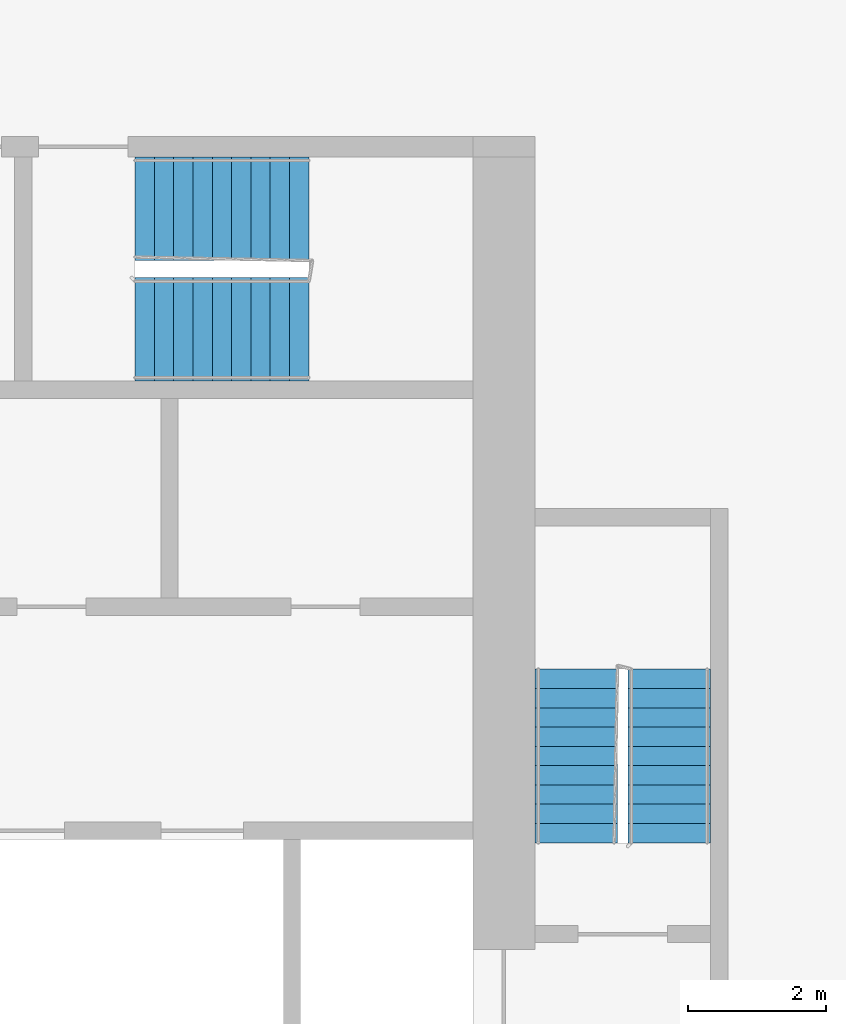
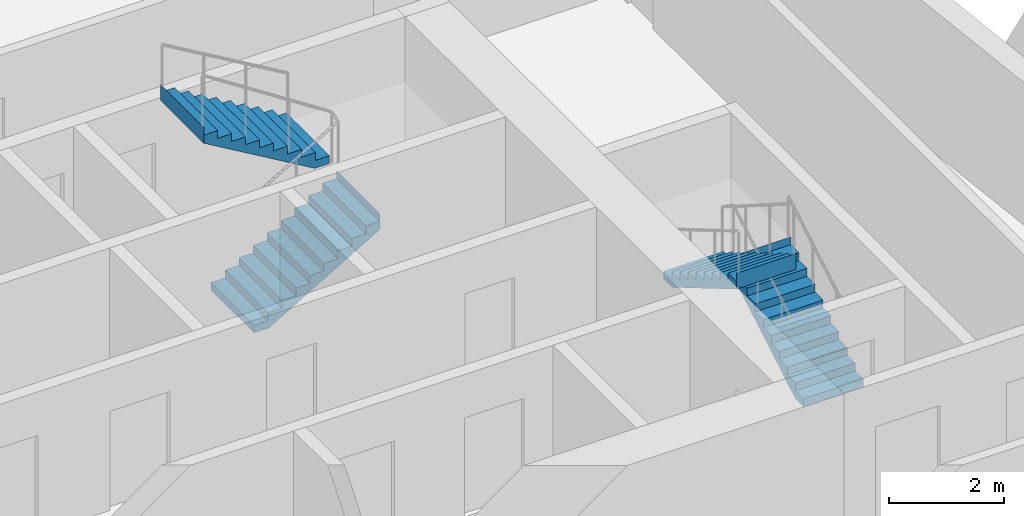
# One storey, part 11 of 13: 4 stair flights, 2 elements without a shape of their own.
"""IFC4 building model written with IfcOpenShell, lengths in metres."""

from ifc_helpers import new_model, si_unit, direction, frame, origin, place, context, subcontext, project, spatial, faceted_brep, material, type_object, element, aggregate, save


model = new_model("IFC4")

# Units and contexts
model_context = context("Model", 3, precision=1e-05, world=origin(), true_north=direction((0.0, 1.0)))
body_context = subcontext(model_context, "Body", "Model", "MODEL_VIEW")
ifc_project = project(units=[si_unit("LENGTHUNIT", "METRE"), si_unit("AREAUNIT", "SQUARE_METRE"), si_unit("VOLUMEUNIT", "CUBIC_METRE"), si_unit("PLANEANGLEUNIT", "RADIAN"), si_unit("MASSUNIT", "GRAM", prefix="KILO")], contexts=[model_context])

# Site, building, storey
site_placement = place(None, origin())
site = spatial("IfcSite", under=ifc_project, at=site_placement, CompositionType="ELEMENT")
building_placement = place(site_placement, origin())
building = spatial("IfcBuilding", under=site, at=building_placement, Name="Kajstack Hotel Tower", CompositionType="ELEMENT")
storey_placement = place(building_placement, frame((0.0, 0.0, 196.60009765625)))
storey = spatial("IfcBuildingStorey", under=building, at=storey_placement, Name="L47", CompositionType="ELEMENT", Elevation=196.60009765625)

# Stair, stair flights
ifc_material = material(Name="Concrete C40/50", Category="concrete")
stair_type_1 = type_object("IfcStairType", Name="Exit stair 1200", PredefinedType="HALF_TURN_STAIR", material=ifc_material)
stair_1_placement = place(storey_placement, origin())
stair_1 = element("IfcStair", 1, at=stair_1_placement, inside=storey, type_object=stair_type_1, Name="L47 stair E1", PredefinedType="HALF_TURN_STAIR")
stair_flight_type_1 = type_object("IfcStairFlightType", Name="Exit stair flight 1200", PredefinedType="STRAIGHT", material=ifc_material)
stair_flight_1_placement = place(storey_placement, frame((33.449951171875, 5.25, 0.0), z_axis=(0.0, 0.0, 1.0), x_axis=(0.0, 1.0, 0.0)))
stair_flight_1 = element("IfcStairFlight", 2, at=stair_flight_1_placement, type_object=stair_flight_type_1, Name="E1 flight 1", NumberOfRisers=10, NumberOfTreads=9, PredefinedType="STRAIGHT", RiserHeight=0.165, TreadLength=0.28, context=body_context, shape_type="Brep", body=[
    faceted_brep([(0.295654296875, -0.60009765625, 0.0), (2.5205078125, -0.60009765625, 1.31103515625), (2.5205078125, -0.60009765625, 1.64990234375), (2.52001953125, -0.60009765625, 1.64990234375), (2.52001953125, -0.60009765625, 1.485107421875), (2.239990234375, -0.60009765625, 1.485107421875), (2.239990234375, -0.60009765625, 1.320068359375), (1.9599609375, -0.60009765625, 1.320068359375), (1.9599609375, -0.60009765625, 1.155029296875), (1.679931640625, -0.60009765625, 1.155029296875), (1.679931640625, -0.60009765625, 0.989990234375), (1.39990234375, -0.60009765625, 0.989990234375), (1.39990234375, -0.60009765625, 0.824951171875), (1.1201171875, -0.60009765625, 0.824951171875), (1.1201171875, -0.60009765625, 0.659912109375), (0.840087890625, -0.60009765625, 0.659912109375), (0.840087890625, -0.60009765625, 0.4951171875), (0.56005859375, -0.60009765625, 0.4951171875), (0.56005859375, -0.60009765625, 0.330078125), (0.280029296875, -0.60009765625, 0.330078125), (0.280029296875, -0.60009765625, 0.1650390625), (-0.00048828125, -0.60009765625, 0.1650390625), (-0.00048828125, -0.60009765625, 0.0), (-0.00048828125, 0.60009765625, 0.0), (-0.00048828125, 0.60009765625, 0.1650390625), (0.280029296875, 0.60009765625, 0.1650390625), (0.280029296875, 0.60009765625, 0.330078125), (0.56005859375, 0.60009765625, 0.330078125), (0.56005859375, 0.60009765625, 0.4951171875), (0.840087890625, 0.60009765625, 0.4951171875), (0.840087890625, 0.60009765625, 0.659912109375), (1.1201171875, 0.60009765625, 0.659912109375), (1.1201171875, 0.60009765625, 0.824951171875), (1.39990234375, 0.60009765625, 0.824951171875), (1.39990234375, 0.60009765625, 0.989990234375), (1.679931640625, 0.60009765625, 0.989990234375), (1.679931640625, 0.60009765625, 1.155029296875), (1.9599609375, 0.60009765625, 1.155029296875), (1.9599609375, 0.60009765625, 1.320068359375), (2.239990234375, 0.60009765625, 1.320068359375), (2.239990234375, 0.60009765625, 1.485107421875), (2.52001953125, 0.60009765625, 1.485107421875), (2.52001953125, 0.60009765625, 1.64990234375), (2.5205078125, 0.60009765625, 1.64990234375), (2.5205078125, 0.60009765625, 1.31103515625), (0.295654296875, 0.60009765625, 0.0), (-0.00048828125, -0.300048828125, 0.1650390625), (-0.00048828125, 0.0, 0.1650390625), (-0.00048828125, 0.300048828125, 0.1650390625), (-0.00048828125, 0.300048828125, 0.0), (-0.00048828125, 0.0, 0.0), (-0.00048828125, -0.300048828125, 0.0), (0.280029296875, -0.300048828125, 0.1650390625), (0.280029296875, 0.0, 0.1650390625), (0.280029296875, 0.300048828125, 0.1650390625), (0.280029296875, -0.300048828125, 0.330078125), (0.280029296875, 0.0, 0.330078125), (0.280029296875, 0.300048828125, 0.330078125), (0.56005859375, -0.300048828125, 0.330078125), (0.56005859375, 0.0, 0.330078125), (0.56005859375, 0.300048828125, 0.330078125), (0.56005859375, -0.300048828125, 0.4951171875), (0.56005859375, 0.0, 0.4951171875), (0.56005859375, 0.300048828125, 0.4951171875), (0.840087890625, -0.300048828125, 0.4951171875), (0.840087890625, 0.0, 0.4951171875), (0.840087890625, 0.300048828125, 0.4951171875), (0.840087890625, -0.300048828125, 0.659912109375), (0.840087890625, 0.0, 0.659912109375), (0.840087890625, 0.300048828125, 0.659912109375), (1.1201171875, -0.300048828125, 0.659912109375), (1.1201171875, 0.0, 0.659912109375), (1.1201171875, 0.300048828125, 0.659912109375), (1.1201171875, -0.300048828125, 0.824951171875), (1.1201171875, 0.0, 0.824951171875), (1.1201171875, 0.300048828125, 0.824951171875), (1.39990234375, -0.300048828125, 0.824951171875), (1.39990234375, 0.0, 0.824951171875), (1.39990234375, 0.300048828125, 0.824951171875), (1.39990234375, -0.300048828125, 0.989990234375), (1.39990234375, 0.0, 0.989990234375), (1.39990234375, 0.300048828125, 0.989990234375), (1.679931640625, -0.300048828125, 0.989990234375), (1.679931640625, 0.0, 0.989990234375), (1.679931640625, 0.300048828125, 0.989990234375), (1.679931640625, -0.300048828125, 1.155029296875), (1.679931640625, 0.0, 1.155029296875), (1.679931640625, 0.300048828125, 1.155029296875), (1.9599609375, -0.300048828125, 1.155029296875), (1.9599609375, 0.0, 1.155029296875), (1.9599609375, 0.300048828125, 1.155029296875), (1.9599609375, -0.300048828125, 1.320068359375), (1.9599609375, 0.0, 1.320068359375), (1.9599609375, 0.300048828125, 1.320068359375), (2.239990234375, -0.300048828125, 1.320068359375), (2.239990234375, 0.0, 1.320068359375), (2.239990234375, 0.300048828125, 1.320068359375), (2.239990234375, -0.300048828125, 1.485107421875), (2.239990234375, 0.0, 1.485107421875), (2.239990234375, 0.300048828125, 1.485107421875), (2.52001953125, -0.300048828125, 1.485107421875), (2.52001953125, 0.0, 1.485107421875), (2.52001953125, 0.300048828125, 1.485107421875), (2.52001953125, -0.300048828125, 1.64990234375), (2.52001953125, 0.0, 1.64990234375), (2.52001953125, 0.300048828125, 1.64990234375), (2.5205078125, -0.300048828125, 1.64990234375), (2.5205078125, 0.0, 1.64990234375), (2.5205078125, 0.300048828125, 1.64990234375), (2.5205078125, -0.300048828125, 1.31103515625), (2.5205078125, 0.0, 1.31103515625), (2.5205078125, 0.300048828125, 1.31103515625), (0.295654296875, -0.300048828125, 0.0), (0.295654296875, 0.0, 0.0), (0.295654296875, 0.300048828125, 0.0)], [[[0, 1, 2, 3, 4, 5, 6, 7, 8, 9, 10, 11, 12, 13, 14, 15, 16, 17, 18, 19, 20, 21, 22]], [[23, 24, 25, 26, 27, 28, 29, 30, 31, 32, 33, 34, 35, 36, 37, 38, 39, 40, 41, 42, 43, 44, 45]], [[21, 46, 47, 48, 24, 23, 49, 50, 51, 22]], [[20, 52, 53, 54, 25, 24, 48, 47, 46, 21]], [[19, 55, 56, 57, 26, 25, 54, 53, 52, 20]], [[18, 58, 59, 60, 27, 26, 57, 56, 55, 19]], [[17, 61, 62, 63, 28, 27, 60, 59, 58, 18]], [[16, 64, 65, 66, 29, 28, 63, 62, 61, 17]], [[15, 67, 68, 69, 30, 29, 66, 65, 64, 16]], [[14, 70, 71, 72, 31, 30, 69, 68, 67, 15]], [[13, 73, 74, 75, 32, 31, 72, 71, 70, 14]], [[12, 76, 77, 78, 33, 32, 75, 74, 73, 13]], [[11, 79, 80, 81, 34, 33, 78, 77, 76, 12]], [[10, 82, 83, 84, 35, 34, 81, 80, 79, 11]], [[9, 85, 86, 87, 36, 35, 84, 83, 82, 10]], [[8, 88, 89, 90, 37, 36, 87, 86, 85, 9]], [[7, 91, 92, 93, 38, 37, 90, 89, 88, 8]], [[6, 94, 95, 96, 39, 38, 93, 92, 91, 7]], [[5, 97, 98, 99, 40, 39, 96, 95, 94, 6]], [[4, 100, 101, 102, 41, 40, 99, 98, 97, 5]], [[3, 103, 104, 105, 42, 41, 102, 101, 100, 4]], [[2, 106, 107, 108, 43, 42, 105, 104, 103, 3]], [[1, 109, 110, 111, 44, 43, 108, 107, 106, 2]], [[0, 112, 113, 114, 45, 44, 111, 110, 109, 1]], [[22, 51, 50, 49, 23, 45, 114, 113, 112, 0]]]),
])
stair_flight_2_placement = place(storey_placement, frame((32.10009765625, 7.77001953125, 1.64990234375), z_axis=(0.0, 0.0, 1.0), x_axis=(0.0, -1.0, 0.0)))
stair_flight_2 = element("IfcStairFlight", 3, at=stair_flight_2_placement, type_object=stair_flight_type_1, Name="E1 flight 2", NumberOfRisers=10, NumberOfTreads=9, PredefinedType="STRAIGHT", RiserHeight=0.165, TreadLength=0.28, context=body_context, shape_type="Brep", body=[
    faceted_brep([(0.295654296875, -0.60009765625, 0.0), (2.5205078125, -0.60009765625, 1.31103515625), (2.5205078125, -0.60009765625, 1.64990234375), (2.52001953125, -0.60009765625, 1.64990234375), (2.52001953125, -0.60009765625, 1.485107421875), (2.239990234375, -0.60009765625, 1.485107421875), (2.239990234375, -0.60009765625, 1.320068359375), (1.9599609375, -0.60009765625, 1.320068359375), (1.9599609375, -0.60009765625, 1.155029296875), (1.679931640625, -0.60009765625, 1.155029296875), (1.679931640625, -0.60009765625, 0.989990234375), (1.39990234375, -0.60009765625, 0.989990234375), (1.39990234375, -0.60009765625, 0.824951171875), (1.1201171875, -0.60009765625, 0.824951171875), (1.1201171875, -0.60009765625, 0.659912109375), (0.840087890625, -0.60009765625, 0.659912109375), (0.840087890625, -0.60009765625, 0.4951171875), (0.56005859375, -0.60009765625, 0.4951171875), (0.56005859375, -0.60009765625, 0.330078125), (0.280029296875, -0.60009765625, 0.330078125), (0.280029296875, -0.60009765625, 0.1650390625), (-0.00048828125, -0.60009765625, 0.1650390625), (-0.00048828125, -0.60009765625, 0.0), (-0.00048828125, 0.60009765625, 0.0), (-0.00048828125, 0.60009765625, 0.1650390625), (0.280029296875, 0.60009765625, 0.1650390625), (0.280029296875, 0.60009765625, 0.330078125), (0.56005859375, 0.60009765625, 0.330078125), (0.56005859375, 0.60009765625, 0.4951171875), (0.840087890625, 0.60009765625, 0.4951171875), (0.840087890625, 0.60009765625, 0.659912109375), (1.1201171875, 0.60009765625, 0.659912109375), (1.1201171875, 0.60009765625, 0.824951171875), (1.39990234375, 0.60009765625, 0.824951171875), (1.39990234375, 0.60009765625, 0.989990234375), (1.679931640625, 0.60009765625, 0.989990234375), (1.679931640625, 0.60009765625, 1.155029296875), (1.9599609375, 0.60009765625, 1.155029296875), (1.9599609375, 0.60009765625, 1.320068359375), (2.239990234375, 0.60009765625, 1.320068359375), (2.239990234375, 0.60009765625, 1.485107421875), (2.52001953125, 0.60009765625, 1.485107421875), (2.52001953125, 0.60009765625, 1.64990234375), (2.5205078125, 0.60009765625, 1.64990234375), (2.5205078125, 0.60009765625, 1.31103515625), (0.295654296875, 0.60009765625, 0.0), (-0.00048828125, -0.300048828125, 0.1650390625), (-0.00048828125, 0.0, 0.1650390625), (-0.00048828125, 0.300048828125, 0.1650390625), (-0.00048828125, 0.300048828125, 0.0), (-0.00048828125, 0.0, 0.0), (-0.00048828125, -0.300048828125, 0.0), (0.280029296875, -0.300048828125, 0.1650390625), (0.280029296875, 0.0, 0.1650390625), (0.280029296875, 0.300048828125, 0.1650390625), (0.280029296875, -0.300048828125, 0.330078125), (0.280029296875, 0.0, 0.330078125), (0.280029296875, 0.300048828125, 0.330078125), (0.56005859375, -0.300048828125, 0.330078125), (0.56005859375, 0.0, 0.330078125), (0.56005859375, 0.300048828125, 0.330078125), (0.56005859375, -0.300048828125, 0.4951171875), (0.56005859375, 0.0, 0.4951171875), (0.56005859375, 0.300048828125, 0.4951171875), (0.840087890625, -0.300048828125, 0.4951171875), (0.840087890625, 0.0, 0.4951171875), (0.840087890625, 0.300048828125, 0.4951171875), (0.840087890625, -0.300048828125, 0.659912109375), (0.840087890625, 0.0, 0.659912109375), (0.840087890625, 0.300048828125, 0.659912109375), (1.1201171875, -0.300048828125, 0.659912109375), (1.1201171875, 0.0, 0.659912109375), (1.1201171875, 0.300048828125, 0.659912109375), (1.1201171875, -0.300048828125, 0.824951171875), (1.1201171875, 0.0, 0.824951171875), (1.1201171875, 0.300048828125, 0.824951171875), (1.39990234375, -0.300048828125, 0.824951171875), (1.39990234375, 0.0, 0.824951171875), (1.39990234375, 0.300048828125, 0.824951171875), (1.39990234375, -0.300048828125, 0.989990234375), (1.39990234375, 0.0, 0.989990234375), (1.39990234375, 0.300048828125, 0.989990234375), (1.679931640625, -0.300048828125, 0.989990234375), (1.679931640625, 0.0, 0.989990234375), (1.679931640625, 0.300048828125, 0.989990234375), (1.679931640625, -0.300048828125, 1.155029296875), (1.679931640625, 0.0, 1.155029296875), (1.679931640625, 0.300048828125, 1.155029296875), (1.9599609375, -0.300048828125, 1.155029296875), (1.9599609375, 0.0, 1.155029296875), (1.9599609375, 0.300048828125, 1.155029296875), (1.9599609375, -0.300048828125, 1.320068359375), (1.9599609375, 0.0, 1.320068359375), (1.9599609375, 0.300048828125, 1.320068359375), (2.239990234375, -0.300048828125, 1.320068359375), (2.239990234375, 0.0, 1.320068359375), (2.239990234375, 0.300048828125, 1.320068359375), (2.239990234375, -0.300048828125, 1.485107421875), (2.239990234375, 0.0, 1.485107421875), (2.239990234375, 0.300048828125, 1.485107421875), (2.52001953125, -0.300048828125, 1.485107421875), (2.52001953125, 0.0, 1.485107421875), (2.52001953125, 0.300048828125, 1.485107421875), (2.52001953125, -0.300048828125, 1.64990234375), (2.52001953125, 0.0, 1.64990234375), (2.52001953125, 0.300048828125, 1.64990234375), (2.5205078125, -0.300048828125, 1.64990234375), (2.5205078125, 0.0, 1.64990234375), (2.5205078125, 0.300048828125, 1.64990234375), (2.5205078125, -0.300048828125, 1.31103515625), (2.5205078125, 0.0, 1.31103515625), (2.5205078125, 0.300048828125, 1.31103515625), (0.295654296875, -0.300048828125, 0.0), (0.295654296875, 0.0, 0.0), (0.295654296875, 0.300048828125, 0.0)], [[[0, 1, 2, 3, 4, 5, 6, 7, 8, 9, 10, 11, 12, 13, 14, 15, 16, 17, 18, 19, 20, 21, 22]], [[23, 24, 25, 26, 27, 28, 29, 30, 31, 32, 33, 34, 35, 36, 37, 38, 39, 40, 41, 42, 43, 44, 45]], [[21, 46, 47, 48, 24, 23, 49, 50, 51, 22]], [[20, 52, 53, 54, 25, 24, 48, 47, 46, 21]], [[19, 55, 56, 57, 26, 25, 54, 53, 52, 20]], [[18, 58, 59, 60, 27, 26, 57, 56, 55, 19]], [[17, 61, 62, 63, 28, 27, 60, 59, 58, 18]], [[16, 64, 65, 66, 29, 28, 63, 62, 61, 17]], [[15, 67, 68, 69, 30, 29, 66, 65, 64, 16]], [[14, 70, 71, 72, 31, 30, 69, 68, 67, 15]], [[13, 73, 74, 75, 32, 31, 72, 71, 70, 14]], [[12, 76, 77, 78, 33, 32, 75, 74, 73, 13]], [[11, 79, 80, 81, 34, 33, 78, 77, 76, 12]], [[10, 82, 83, 84, 35, 34, 81, 80, 79, 11]], [[9, 85, 86, 87, 36, 35, 84, 83, 82, 10]], [[8, 88, 89, 90, 37, 36, 87, 86, 85, 9]], [[7, 91, 92, 93, 38, 37, 90, 89, 88, 8]], [[6, 94, 95, 96, 39, 38, 93, 92, 91, 7]], [[5, 97, 98, 99, 40, 39, 96, 95, 94, 6]], [[4, 100, 101, 102, 41, 40, 99, 98, 97, 5]], [[3, 103, 104, 105, 42, 41, 102, 101, 100, 4]], [[2, 106, 107, 108, 43, 42, 105, 104, 103, 3]], [[1, 109, 110, 111, 44, 43, 108, 107, 106, 2]], [[0, 112, 113, 114, 45, 44, 111, 110, 109, 1]], [[22, 51, 50, 49, 23, 45, 114, 113, 112, 0]]]),
])
aggregate(stair_1, [stair_flight_1, stair_flight_2])

stair_type_2 = type_object("IfcStairType", Name="Exit stair 1500", PredefinedType="HALF_TURN_STAIR", material=ifc_material)
stair_2_placement = place(storey_placement, origin())
stair_2 = element("IfcStair", 4, at=stair_2_placement, inside=storey, type_object=stair_type_2, Name="L47 stair E3", PredefinedType="HALF_TURN_STAIR")
stair_flight_type_2 = type_object("IfcStairFlightType", Name="Exit stair flight 1500", PredefinedType="STRAIGHT", material=ifc_material)
stair_flight_3_placement = place(storey_placement, frame((25.699951171875, 12.699951171875, 0.0), z_axis=(0.0, 0.0, 1.0), x_axis=(1.0, 0.0, 0.0)))
stair_flight_3 = element("IfcStairFlight", 5, at=stair_flight_3_placement, type_object=stair_flight_type_2, Name="E3 flight 1", NumberOfRisers=10, NumberOfTreads=9, PredefinedType="STRAIGHT", RiserHeight=0.165, TreadLength=0.28, context=body_context, shape_type="Brep", body=[
    faceted_brep([(0.295654296875, -0.75, 0.0), (2.5205078125, -0.75, 1.31103515625), (2.5205078125, -0.75, 1.64990234375), (2.52001953125, -0.75, 1.64990234375), (2.52001953125, -0.75, 1.485107421875), (2.239990234375, -0.75, 1.485107421875), (2.239990234375, -0.75, 1.320068359375), (1.9599609375, -0.75, 1.320068359375), (1.9599609375, -0.75, 1.155029296875), (1.679931640625, -0.75, 1.155029296875), (1.679931640625, -0.75, 0.989990234375), (1.39990234375, -0.75, 0.989990234375), (1.39990234375, -0.75, 0.824951171875), (1.1201171875, -0.75, 0.824951171875), (1.1201171875, -0.75, 0.659912109375), (0.840087890625, -0.75, 0.659912109375), (0.840087890625, -0.75, 0.4951171875), (0.56005859375, -0.75, 0.4951171875), (0.56005859375, -0.75, 0.330078125), (0.280029296875, -0.75, 0.330078125), (0.280029296875, -0.75, 0.1650390625), (-0.00048828125, -0.75, 0.1650390625), (-0.00048828125, -0.75, 0.0), (-0.00048828125, 0.75, 0.0), (-0.00048828125, 0.75, 0.1650390625), (0.280029296875, 0.75, 0.1650390625), (0.280029296875, 0.75, 0.330078125), (0.56005859375, 0.75, 0.330078125), (0.56005859375, 0.75, 0.4951171875), (0.840087890625, 0.75, 0.4951171875), (0.840087890625, 0.75, 0.659912109375), (1.1201171875, 0.75, 0.659912109375), (1.1201171875, 0.75, 0.824951171875), (1.39990234375, 0.75, 0.824951171875), (1.39990234375, 0.75, 0.989990234375), (1.679931640625, 0.75, 0.989990234375), (1.679931640625, 0.75, 1.155029296875), (1.9599609375, 0.75, 1.155029296875), (1.9599609375, 0.75, 1.320068359375), (2.239990234375, 0.75, 1.320068359375), (2.239990234375, 0.75, 1.485107421875), (2.52001953125, 0.75, 1.485107421875), (2.52001953125, 0.75, 1.64990234375), (2.5205078125, 0.75, 1.64990234375), (2.5205078125, 0.75, 1.31103515625), (0.295654296875, 0.75, 0.0), (-0.00048828125, -0.375, 0.1650390625), (-0.00048828125, 0.0, 0.1650390625), (-0.00048828125, 0.375, 0.1650390625), (-0.00048828125, 0.375, 0.0), (-0.00048828125, 0.0, 0.0), (-0.00048828125, -0.375, 0.0), (0.280029296875, -0.375, 0.1650390625), (0.280029296875, 0.0, 0.1650390625), (0.280029296875, 0.375, 0.1650390625), (0.280029296875, -0.375, 0.330078125), (0.280029296875, 0.0, 0.330078125), (0.280029296875, 0.375, 0.330078125), (0.56005859375, -0.375, 0.330078125), (0.56005859375, 0.0, 0.330078125), (0.56005859375, 0.375, 0.330078125), (0.56005859375, -0.375, 0.4951171875), (0.56005859375, 0.0, 0.4951171875), (0.56005859375, 0.375, 0.4951171875), (0.840087890625, -0.375, 0.4951171875), (0.840087890625, 0.0, 0.4951171875), (0.840087890625, 0.375, 0.4951171875), (0.840087890625, -0.375, 0.659912109375), (0.840087890625, 0.0, 0.659912109375), (0.840087890625, 0.375, 0.659912109375), (1.1201171875, -0.375, 0.659912109375), (1.1201171875, 0.0, 0.659912109375), (1.1201171875, 0.375, 0.659912109375), (1.1201171875, -0.375, 0.824951171875), (1.1201171875, 0.0, 0.824951171875), (1.1201171875, 0.375, 0.824951171875), (1.39990234375, -0.375, 0.824951171875), (1.39990234375, 0.0, 0.824951171875), (1.39990234375, 0.375, 0.824951171875), (1.39990234375, -0.375, 0.989990234375), (1.39990234375, 0.0, 0.989990234375), (1.39990234375, 0.375, 0.989990234375), (1.679931640625, -0.375, 0.989990234375), (1.679931640625, 0.0, 0.989990234375), (1.679931640625, 0.375, 0.989990234375), (1.679931640625, -0.375, 1.155029296875), (1.679931640625, 0.0, 1.155029296875), (1.679931640625, 0.375, 1.155029296875), (1.9599609375, -0.375, 1.155029296875), (1.9599609375, 0.0, 1.155029296875), (1.9599609375, 0.375, 1.155029296875), (1.9599609375, -0.375, 1.320068359375), (1.9599609375, 0.0, 1.320068359375), (1.9599609375, 0.375, 1.320068359375), (2.239990234375, -0.375, 1.320068359375), (2.239990234375, 0.0, 1.320068359375), (2.239990234375, 0.375, 1.320068359375), (2.239990234375, -0.375, 1.485107421875), (2.239990234375, 0.0, 1.485107421875), (2.239990234375, 0.375, 1.485107421875), (2.52001953125, -0.375, 1.485107421875), (2.52001953125, 0.0, 1.485107421875), (2.52001953125, 0.375, 1.485107421875), (2.52001953125, -0.375, 1.64990234375), (2.52001953125, 0.0, 1.64990234375), (2.52001953125, 0.375, 1.64990234375), (2.5205078125, -0.375, 1.64990234375), (2.5205078125, 0.0, 1.64990234375), (2.5205078125, 0.375, 1.64990234375), (2.5205078125, -0.375, 1.31103515625), (2.5205078125, 0.0, 1.31103515625), (2.5205078125, 0.375, 1.31103515625), (0.295654296875, -0.375, 0.0), (0.295654296875, 0.0, 0.0), (0.295654296875, 0.375, 0.0)], [[[0, 1, 2, 3, 4, 5, 6, 7, 8, 9, 10, 11, 12, 13, 14, 15, 16, 17, 18, 19, 20, 21, 22]], [[23, 24, 25, 26, 27, 28, 29, 30, 31, 32, 33, 34, 35, 36, 37, 38, 39, 40, 41, 42, 43, 44, 45]], [[21, 46, 47, 48, 24, 23, 49, 50, 51, 22]], [[20, 52, 53, 54, 25, 24, 48, 47, 46, 21]], [[19, 55, 56, 57, 26, 25, 54, 53, 52, 20]], [[18, 58, 59, 60, 27, 26, 57, 56, 55, 19]], [[17, 61, 62, 63, 28, 27, 60, 59, 58, 18]], [[16, 64, 65, 66, 29, 28, 63, 62, 61, 17]], [[15, 67, 68, 69, 30, 29, 66, 65, 64, 16]], [[14, 70, 71, 72, 31, 30, 69, 68, 67, 15]], [[13, 73, 74, 75, 32, 31, 72, 71, 70, 14]], [[12, 76, 77, 78, 33, 32, 75, 74, 73, 13]], [[11, 79, 80, 81, 34, 33, 78, 77, 76, 12]], [[10, 82, 83, 84, 35, 34, 81, 80, 79, 11]], [[9, 85, 86, 87, 36, 35, 84, 83, 82, 10]], [[8, 88, 89, 90, 37, 36, 87, 86, 85, 9]], [[7, 91, 92, 93, 38, 37, 90, 89, 88, 8]], [[6, 94, 95, 96, 39, 38, 93, 92, 91, 7]], [[5, 97, 98, 99, 40, 39, 96, 95, 94, 6]], [[4, 100, 101, 102, 41, 40, 99, 98, 97, 5]], [[3, 103, 104, 105, 42, 41, 102, 101, 100, 4]], [[2, 106, 107, 108, 43, 42, 105, 104, 103, 3]], [[1, 109, 110, 111, 44, 43, 108, 107, 106, 2]], [[0, 112, 113, 114, 45, 44, 111, 110, 109, 1]], [[22, 51, 50, 49, 23, 45, 114, 113, 112, 0]]]),
])
stair_flight_4_placement = place(storey_placement, frame((28.219970703125, 14.449951171875, 1.64990234375), z_axis=(0.0, 0.0, 1.0), x_axis=(-1.0, 0.0, 0.0)))
stair_flight_4 = element("IfcStairFlight", 6, at=stair_flight_4_placement, type_object=stair_flight_type_2, Name="E3 flight 2", NumberOfRisers=10, NumberOfTreads=9, PredefinedType="STRAIGHT", RiserHeight=0.165, TreadLength=0.28, context=body_context, shape_type="Brep", body=[
    faceted_brep([(0.295654296875, -0.75, 0.0), (2.5205078125, -0.75, 1.31103515625), (2.5205078125, -0.75, 1.64990234375), (2.52001953125, -0.75, 1.64990234375), (2.52001953125, -0.75, 1.485107421875), (2.239990234375, -0.75, 1.485107421875), (2.239990234375, -0.75, 1.320068359375), (1.9599609375, -0.75, 1.320068359375), (1.9599609375, -0.75, 1.155029296875), (1.679931640625, -0.75, 1.155029296875), (1.679931640625, -0.75, 0.989990234375), (1.39990234375, -0.75, 0.989990234375), (1.39990234375, -0.75, 0.824951171875), (1.1201171875, -0.75, 0.824951171875), (1.1201171875, -0.75, 0.659912109375), (0.840087890625, -0.75, 0.659912109375), (0.840087890625, -0.75, 0.4951171875), (0.56005859375, -0.75, 0.4951171875), (0.56005859375, -0.75, 0.330078125), (0.280029296875, -0.75, 0.330078125), (0.280029296875, -0.75, 0.1650390625), (-0.00048828125, -0.75, 0.1650390625), (-0.00048828125, -0.75, 0.0), (-0.00048828125, 0.75, 0.0), (-0.00048828125, 0.75, 0.1650390625), (0.280029296875, 0.75, 0.1650390625), (0.280029296875, 0.75, 0.330078125), (0.56005859375, 0.75, 0.330078125), (0.56005859375, 0.75, 0.4951171875), (0.840087890625, 0.75, 0.4951171875), (0.840087890625, 0.75, 0.659912109375), (1.1201171875, 0.75, 0.659912109375), (1.1201171875, 0.75, 0.824951171875), (1.39990234375, 0.75, 0.824951171875), (1.39990234375, 0.75, 0.989990234375), (1.679931640625, 0.75, 0.989990234375), (1.679931640625, 0.75, 1.155029296875), (1.9599609375, 0.75, 1.155029296875), (1.9599609375, 0.75, 1.320068359375), (2.239990234375, 0.75, 1.320068359375), (2.239990234375, 0.75, 1.485107421875), (2.52001953125, 0.75, 1.485107421875), (2.52001953125, 0.75, 1.64990234375), (2.5205078125, 0.75, 1.64990234375), (2.5205078125, 0.75, 1.31103515625), (0.295654296875, 0.75, 0.0), (-0.00048828125, -0.375, 0.1650390625), (-0.00048828125, 0.0, 0.1650390625), (-0.00048828125, 0.375, 0.1650390625), (-0.00048828125, 0.375, 0.0), (-0.00048828125, 0.0, 0.0), (-0.00048828125, -0.375, 0.0), (0.280029296875, -0.375, 0.1650390625), (0.280029296875, 0.0, 0.1650390625), (0.280029296875, 0.375, 0.1650390625), (0.280029296875, -0.375, 0.330078125), (0.280029296875, 0.0, 0.330078125), (0.280029296875, 0.375, 0.330078125), (0.56005859375, -0.375, 0.330078125), (0.56005859375, 0.0, 0.330078125), (0.56005859375, 0.375, 0.330078125), (0.56005859375, -0.375, 0.4951171875), (0.56005859375, 0.0, 0.4951171875), (0.56005859375, 0.375, 0.4951171875), (0.840087890625, -0.375, 0.4951171875), (0.840087890625, 0.0, 0.4951171875), (0.840087890625, 0.375, 0.4951171875), (0.840087890625, -0.375, 0.659912109375), (0.840087890625, 0.0, 0.659912109375), (0.840087890625, 0.375, 0.659912109375), (1.1201171875, -0.375, 0.659912109375), (1.1201171875, 0.0, 0.659912109375), (1.1201171875, 0.375, 0.659912109375), (1.1201171875, -0.375, 0.824951171875), (1.1201171875, 0.0, 0.824951171875), (1.1201171875, 0.375, 0.824951171875), (1.39990234375, -0.375, 0.824951171875), (1.39990234375, 0.0, 0.824951171875), (1.39990234375, 0.375, 0.824951171875), (1.39990234375, -0.375, 0.989990234375), (1.39990234375, 0.0, 0.989990234375), (1.39990234375, 0.375, 0.989990234375), (1.679931640625, -0.375, 0.989990234375), (1.679931640625, 0.0, 0.989990234375), (1.679931640625, 0.375, 0.989990234375), (1.679931640625, -0.375, 1.155029296875), (1.679931640625, 0.0, 1.155029296875), (1.679931640625, 0.375, 1.155029296875), (1.9599609375, -0.375, 1.155029296875), (1.9599609375, 0.0, 1.155029296875), (1.9599609375, 0.375, 1.155029296875), (1.9599609375, -0.375, 1.320068359375), (1.9599609375, 0.0, 1.320068359375), (1.9599609375, 0.375, 1.320068359375), (2.239990234375, -0.375, 1.320068359375), (2.239990234375, 0.0, 1.320068359375), (2.239990234375, 0.375, 1.320068359375), (2.239990234375, -0.375, 1.485107421875), (2.239990234375, 0.0, 1.485107421875), (2.239990234375, 0.375, 1.485107421875), (2.52001953125, -0.375, 1.485107421875), (2.52001953125, 0.0, 1.485107421875), (2.52001953125, 0.375, 1.485107421875), (2.52001953125, -0.375, 1.64990234375), (2.52001953125, 0.0, 1.64990234375), (2.52001953125, 0.375, 1.64990234375), (2.5205078125, -0.375, 1.64990234375), (2.5205078125, 0.0, 1.64990234375), (2.5205078125, 0.375, 1.64990234375), (2.5205078125, -0.375, 1.31103515625), (2.5205078125, 0.0, 1.31103515625), (2.5205078125, 0.375, 1.31103515625), (0.295654296875, -0.375, 0.0), (0.295654296875, 0.0, 0.0), (0.295654296875, 0.375, 0.0)], [[[0, 1, 2, 3, 4, 5, 6, 7, 8, 9, 10, 11, 12, 13, 14, 15, 16, 17, 18, 19, 20, 21, 22]], [[23, 24, 25, 26, 27, 28, 29, 30, 31, 32, 33, 34, 35, 36, 37, 38, 39, 40, 41, 42, 43, 44, 45]], [[21, 46, 47, 48, 24, 23, 49, 50, 51, 22]], [[20, 52, 53, 54, 25, 24, 48, 47, 46, 21]], [[19, 55, 56, 57, 26, 25, 54, 53, 52, 20]], [[18, 58, 59, 60, 27, 26, 57, 56, 55, 19]], [[17, 61, 62, 63, 28, 27, 60, 59, 58, 18]], [[16, 64, 65, 66, 29, 28, 63, 62, 61, 17]], [[15, 67, 68, 69, 30, 29, 66, 65, 64, 16]], [[14, 70, 71, 72, 31, 30, 69, 68, 67, 15]], [[13, 73, 74, 75, 32, 31, 72, 71, 70, 14]], [[12, 76, 77, 78, 33, 32, 75, 74, 73, 13]], [[11, 79, 80, 81, 34, 33, 78, 77, 76, 12]], [[10, 82, 83, 84, 35, 34, 81, 80, 79, 11]], [[9, 85, 86, 87, 36, 35, 84, 83, 82, 10]], [[8, 88, 89, 90, 37, 36, 87, 86, 85, 9]], [[7, 91, 92, 93, 38, 37, 90, 89, 88, 8]], [[6, 94, 95, 96, 39, 38, 93, 92, 91, 7]], [[5, 97, 98, 99, 40, 39, 96, 95, 94, 6]], [[4, 100, 101, 102, 41, 40, 99, 98, 97, 5]], [[3, 103, 104, 105, 42, 41, 102, 101, 100, 4]], [[2, 106, 107, 108, 43, 42, 105, 104, 103, 3]], [[1, 109, 110, 111, 44, 43, 108, 107, 106, 2]], [[0, 112, 113, 114, 45, 44, 111, 110, 109, 1]], [[22, 51, 50, 49, 23, 45, 114, 113, 112, 0]]]),
])
aggregate(stair_2, [stair_flight_3, stair_flight_4])

save(model, "model.ifc")
